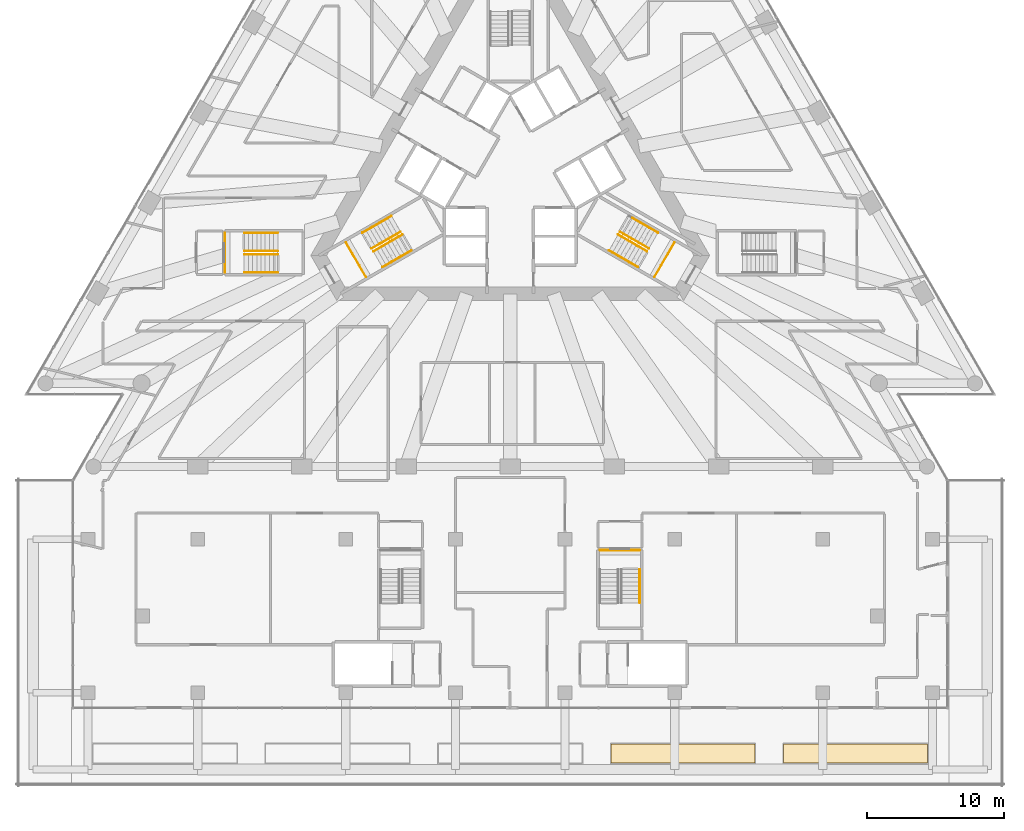
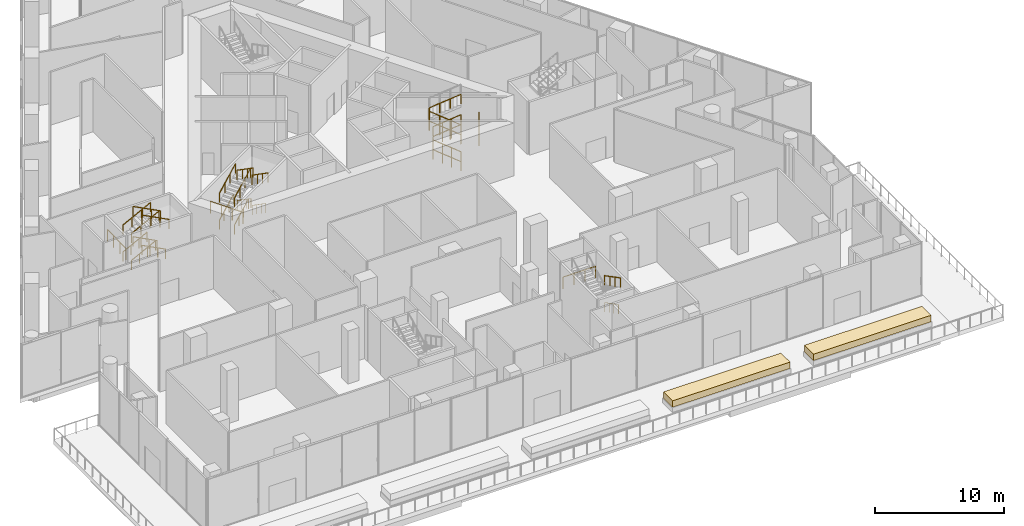
# One storey, part 31 of 32: 29 railings, 2 coverings, 4 elements without a shape of their own.
"""IFC4 building model written with IfcOpenShell, lengths in metres."""

from ifc_helpers import new_model, si_unit, direction, frame, origin, origin_2d, place, context, subcontext, project, spatial, polyline, circle, outline, extrude, material, layer, layer_set, type_object, element, aggregate, save


model = new_model("IFC4")

# Units and contexts
model_context = context("Model", 3, precision=1e-05, world=origin(), true_north=direction((0.0, 1.0)))
body_context = subcontext(model_context, "Body", "Model", "MODEL_VIEW")
ifc_project = project(units=[si_unit("LENGTHUNIT", "METRE"), si_unit("AREAUNIT", "SQUARE_METRE"), si_unit("VOLUMEUNIT", "CUBIC_METRE"), si_unit("PLANEANGLEUNIT", "RADIAN"), si_unit("MASSUNIT", "GRAM", prefix="KILO")], contexts=[model_context])

# Site, building, storey
site_placement = place(None, origin())
site = spatial("IfcSite", under=ifc_project, at=site_placement, CompositionType="ELEMENT")
building_placement = place(site_placement, origin())
building = spatial("IfcBuilding", under=site, at=building_placement, Name="Triada Interchange Tower", CompositionType="ELEMENT")
storey_placement = place(building_placement, frame((0.0, 0.0, 14.5)))
storey = spatial("IfcBuildingStorey", under=building, at=storey_placement, Name="L02", CompositionType="ELEMENT", Elevation=14.5)

# Coverings
ifc_material_1 = material(Name="Planting soil")
ifc_layer = layer(ifc_material_1, 0.60009765625)
ifc_layer_set = layer_set([ifc_layer], Name="Planting bed 600")
covering_type = type_object("IfcCoveringType", Name="Planting bed 600", PredefinedType="FLOORING", material=ifc_layer_set)
covering_1_placement = place(storey_placement, frame((0.0, 0.0, 0.449951171875)))
element("IfcCovering", 1, at=covering_1_placement, inside=storey, type_object=covering_type, Name="Planting bed PLANTER L02 10", PredefinedType="FLOORING", context=body_context, shape_type="SweptSolid", body=[
    extrude(outline(polyline([(7.35009765625, -43.22998046875), (17.85009765625, -43.22998046875), (17.85009765625, -41.830078125), (7.35009765625, -41.830078125), (7.35009765625, -43.22998046875)])), origin(), (0.0, 0.0, 1.0), 0.60009765625),
])
covering_2_placement = place(storey_placement, frame((0.0, 0.0, 0.449951171875)))
element("IfcCovering", 2, at=covering_2_placement, inside=storey, type_object=covering_type, Name="Planting bed PLANTER L02 11", PredefinedType="FLOORING", context=body_context, shape_type="SweptSolid", body=[
    extrude(outline(polyline([(19.949951171875, -43.22998046875), (30.449951171875, -43.22998046875), (30.449951171875, -41.830078125), (19.949951171875, -41.830078125), (19.949951171875, -43.22998046875)])), origin(), (0.0, 0.0, 1.0), 0.60009765625),
])

# Stair, railing
ifc_material_2 = material(Name="Concrete C35/45", Category="concrete")
stair_type = type_object("IfcStairType", Name="HALF TURN STAIR 1400", PredefinedType="HALF_TURN_STAIR", material=ifc_material_2)
stair_1_placement = place(storey_placement, origin())
stair_1 = element("IfcStair", 3, at=stair_1_placement, inside=storey, type_object=stair_type, Name="Exit stair S02-2", PredefinedType="HALF_TURN_STAIR")
ifc_material_3 = material(Name="Stainless steel 1.4301", Category="steel")
railing_type_1 = type_object("IfcRailingType", Name="STAIR GUARD 1100", PredefinedType="GUARDRAIL", material=ifc_material_3)
railing_1_placement = place(storey_placement, frame((-11.98291015625, -5.243896484375, 2.541015625)))
railing_1 = element("IfcRailing", 4, at=railing_1_placement, type_object=railing_type_1, Name="Guard S02-2 1", PredefinedType="GUARDRAIL", context=body_context, shape_type="SweptSolid", body=[
    extrude(circle(Radius=0.02392578125, at=origin_2d()), frame((0.0, 0.0, 1.076171875), z_axis=(0.499877891294, -0.866095891802, 0.0), x_axis=(0.866095891802, 0.499877891294, 0.0)), (0.0, 0.0, 1.0), 2.900634765625),
    extrude(circle(Radius=0.02099609375, at=origin_2d()), origin(), (0.0, 0.0, 1.0), 1.052001953125),
    extrude(circle(Radius=0.02099609375, at=origin_2d()), frame((0.4833984375, -0.83740234375, 0.0)), (0.0, 0.0, 1.0), 1.052001953125),
    extrude(circle(Radius=0.02099609375, at=origin_2d()), frame((0.966552734375, -1.6748046875, 0.0)), (0.0, 0.0, 1.0), 1.052001953125),
    extrude(circle(Radius=0.02099609375, at=origin_2d()), frame((1.449951171875, -2.51220703125, 0.0)), (0.0, 0.0, 1.0), 1.052001953125),
])

stair_2_placement = place(storey_placement, origin())
stair_2 = element("IfcStair", 5, at=stair_2_placement, inside=storey, type_object=stair_type, Name="Exit stair S02-3", PredefinedType="HALF_TURN_STAIR")
railing_2_placement = place(storey_placement, frame((10.532958984375, -7.756103515625, 2.541015625)))
railing_2 = element("IfcRailing", 6, at=railing_2_placement, type_object=railing_type_1, Name="Guard S02-3 1", PredefinedType="GUARDRAIL", context=body_context, shape_type="SweptSolid", body=[
    extrude(circle(Radius=0.02392578125, at=origin_2d()), frame((0.0, 0.0, 1.076171875), z_axis=(0.499877891294, 0.866095891802, 0.0), x_axis=(-0.866095891802, 0.499877891294, 0.0)), (0.0, 0.0, 1.0), 2.900634765625),
    extrude(circle(Radius=0.02099609375, at=origin_2d()), origin(), (0.0, 0.0, 1.0), 1.052001953125),
    extrude(circle(Radius=0.02099609375, at=origin_2d()), frame((0.4833984375, 0.83740234375, 0.0)), (0.0, 0.0, 1.0), 1.052001953125),
    extrude(circle(Radius=0.02099609375, at=origin_2d()), frame((0.966552734375, 1.6748046875, 0.0)), (0.0, 0.0, 1.0), 1.052001953125),
    extrude(circle(Radius=0.02099609375, at=origin_2d()), frame((1.449951171875, 2.51220703125, 0.0)), (0.0, 0.0, 1.0), 1.052001953125),
])

stair_3_placement = place(storey_placement, origin())
stair_3 = element("IfcStair", 7, at=stair_3_placement, inside=storey, type_object=stair_type, Name="Exit stair S02-6", PredefinedType="HALF_TURN_STAIR")
railing_3_placement = place(storey_placement, frame((-20.800048828125, -4.550048828125, 2.541015625)))
railing_3 = element("IfcRailing", 8, at=railing_3_placement, type_object=railing_type_1, Name="Guard S02-6 1", PredefinedType="GUARDRAIL", context=body_context, shape_type="SweptSolid", body=[
    extrude(circle(Radius=0.02392578125, at=origin_2d()), frame((0.0, 0.0, 1.076171875), z_axis=(0.0, -1.0, 0.0), x_axis=(1.0, 0.0, 0.0)), (0.0, 0.0, 1.0), 2.89990234375),
    extrude(circle(Radius=0.02099609375, at=origin_2d()), origin(), (0.0, 0.0, 1.0), 1.052001953125),
    extrude(circle(Radius=0.02099609375, at=origin_2d()), frame((0.0, -0.966552734375, 0.0)), (0.0, 0.0, 1.0), 1.052001953125),
    extrude(circle(Radius=0.02099609375, at=origin_2d()), frame((0.0, -1.933349609375, 0.0)), (0.0, 0.0, 1.0), 1.052001953125),
    extrude(circle(Radius=0.02099609375, at=origin_2d()), frame((0.0, -2.89990234375, 0.0)), (0.0, 0.0, 1.0), 1.052001953125),
])

stair_4_placement = place(storey_placement, origin())
stair_4 = element("IfcStair", 9, at=stair_4_placement, inside=storey, type_object=stair_type, Name="Exit stair S02-10", PredefinedType="HALF_TURN_STAIR")
railing_4_placement = place(storey_placement, frame((9.449951171875, -27.699951171875, 2.541015625)))
railing_4 = element("IfcRailing", 10, at=railing_4_placement, type_object=railing_type_1, Name="Guard S02-10 1", PredefinedType="GUARDRAIL", context=body_context, shape_type="SweptSolid", body=[
    extrude(circle(Radius=0.02392578125, at=origin_2d()), frame((0.0, 0.0, 1.076171875), z_axis=(-1.0, 0.0, 0.0), x_axis=(0.0, -1.0, 0.0)), (0.0, 0.0, 1.0), 2.89990234375),
    extrude(circle(Radius=0.02099609375, at=origin_2d()), origin(), (0.0, 0.0, 1.0), 1.052001953125),
    extrude(circle(Radius=0.02099609375, at=origin_2d()), frame((-0.966552734375, 0.0, 0.0)), (0.0, 0.0, 1.0), 1.052001953125),
    extrude(circle(Radius=0.02099609375, at=origin_2d()), frame((-1.933349609375, 0.0, 0.0)), (0.0, 0.0, 1.0), 1.052001953125),
    extrude(circle(Radius=0.02099609375, at=origin_2d()), frame((-2.89990234375, 0.0, 0.0)), (0.0, 0.0, 1.0), 1.052001953125),
])

# Railing
railing_type_2 = type_object("IfcRailingType", Name="STAIR HANDRAIL 900", PredefinedType="HANDRAIL", material=ifc_material_3)
railing_5_placement = place(storey_placement, frame((-10.77099609375, -4.5439453125, 0.15869140625)))
railing_5 = element("IfcRailing", 11, at=railing_5_placement, type_object=railing_type_2, Name="Handrail S02-2 1W", PredefinedType="HANDRAIL", context=body_context, shape_type="SweptSolid", body=[
    extrude(circle(Radius=0.02392578125, at=origin_2d()), frame((0.0, 0.0, 0.8759765625), z_axis=(0.768184922783, 0.443281145195, 0.461945614466), x_axis=(-0.499804961432, 0.866137980075, 0.0)), (0.0, 0.0, 1.0), 2.40673828125),
    extrude(circle(Radius=0.02099609375, at=origin_2d()), origin(), (0.0, 0.0, 1.0), 0.851806640625),
    extrude(circle(Radius=0.02099609375, at=origin_2d()), frame((0.6162109375, 0.355712890625, 0.37060546875)), (0.0, 0.0, 1.0), 0.851806640625),
    extrude(circle(Radius=0.02099609375, at=origin_2d()), frame((1.232666015625, 0.711181640625, 0.7412109375)), (0.0, 0.0, 1.0), 0.851806640625),
    extrude(circle(Radius=0.02099609375, at=origin_2d()), frame((1.848876953125, 1.06689453125, 1.11181640625)), (0.0, 0.0, 1.0), 0.851806640625),
])

railing_6_placement = place(storey_placement, frame((-10.10595703125, -5.696044921875, 0.15869140625)))
railing_6 = element("IfcRailing", 12, at=railing_6_placement, type_object=railing_type_2, Name="Handrail S02-2 1C", PredefinedType="HANDRAIL", context=body_context, shape_type="SweptSolid", body=[
    extrude(circle(Radius=0.02392578125, at=origin_2d()), frame((0.0, 0.0, 0.8759765625), z_axis=(0.768012174105, 0.443688533172, 0.461841732586), x_axis=(-0.500233783454, 0.865890386765, 0.0)), (0.0, 0.0, 1.0), 2.407470703125),
    extrude(circle(Radius=0.02099609375, at=origin_2d()), origin(), (0.0, 0.0, 1.0), 0.851806640625),
    extrude(circle(Radius=0.02099609375, at=origin_2d()), frame((0.6162109375, 0.35595703125, 0.37060546875)), (0.0, 0.0, 1.0), 0.851806640625),
    extrude(circle(Radius=0.02099609375, at=origin_2d()), frame((1.232666015625, 0.712158203125, 0.7412109375)), (0.0, 0.0, 1.0), 0.851806640625),
    extrude(circle(Radius=0.02099609375, at=origin_2d()), frame((1.848876953125, 1.068115234375, 1.11181640625)), (0.0, 0.0, 1.0), 0.851806640625),
])

railing_7_placement = place(storey_placement, frame((-7.471923828125, -5.988037109375, 1.429443359375)))
railing_7 = element("IfcRailing", 13, at=railing_7_placement, type_object=railing_type_2, Name="Handrail S02-2 2W", PredefinedType="HANDRAIL", context=body_context, shape_type="SweptSolid", body=[
    extrude(circle(Radius=0.02392578125, at=origin_2d()), frame((0.0, 0.0, 0.8759765625), z_axis=(-0.768226496267, -0.443246605319, 0.46190962028), x_axis=(0.499755453942, -0.866166546488, 0.0)), (0.0, 0.0, 1.0), 2.406982421875),
    extrude(circle(Radius=0.02099609375, at=origin_2d()), origin(), (0.0, 0.0, 1.0), 0.851806640625),
    extrude(circle(Radius=0.02099609375, at=origin_2d()), frame((-0.616455078125, -0.355712890625, 0.37060546875)), (0.0, 0.0, 1.0), 0.851806640625),
    extrude(circle(Radius=0.02099609375, at=origin_2d()), frame((-1.232666015625, -0.711181640625, 0.7412109375)), (0.0, 0.0, 1.0), 0.851806640625),
    extrude(circle(Radius=0.02099609375, at=origin_2d()), frame((-1.84912109375, -1.06689453125, 1.11181640625)), (0.0, 0.0, 1.0), 0.851806640625),
])

railing_8_placement = place(storey_placement, frame((-8.136962890625, -4.8359375, 1.429443359375)))
railing_8 = element("IfcRailing", 14, at=railing_8_placement, type_object=railing_type_2, Name="Handrail S02-2 2C", PredefinedType="HANDRAIL", context=body_context, shape_type="SweptSolid", body=[
    extrude(circle(Radius=0.02392578125, at=origin_2d()), frame((0.0, 0.0, 0.8759765625), z_axis=(-0.768053765152, -0.443653977098, 0.461805762675), x_axis=(0.500184261807, -0.865918994041, 0.0)), (0.0, 0.0, 1.0), 2.407470703125),
    extrude(circle(Radius=0.02099609375, at=origin_2d()), origin(), (0.0, 0.0, 1.0), 0.851806640625),
    extrude(circle(Radius=0.02099609375, at=origin_2d()), frame((-0.616455078125, -0.35595703125, 0.37060546875)), (0.0, 0.0, 1.0), 0.851806640625),
    extrude(circle(Radius=0.02099609375, at=origin_2d()), frame((-1.232666015625, -0.712158203125, 0.7412109375)), (0.0, 0.0, 1.0), 0.851806640625),
    extrude(circle(Radius=0.02099609375, at=origin_2d()), frame((-1.84912109375, -1.068115234375, 1.11181640625)), (0.0, 0.0, 1.0), 0.851806640625),
])

railing_9_placement = place(storey_placement, frame((-10.77099609375, -4.5439453125, 2.699951171875)))
railing_9 = element("IfcRailing", 15, at=railing_9_placement, type_object=railing_type_2, Name="Handrail S02-2 3W", PredefinedType="HANDRAIL", context=body_context, shape_type="SweptSolid", body=[
    extrude(circle(Radius=0.02392578125, at=origin_2d()), frame((0.0, 0.0, 0.8759765625), z_axis=(0.768126067177, 0.443480757676, 0.461851883719), x_axis=(-0.500002508028, 0.866023955769, 0.0)), (0.0, 0.0, 1.0), 2.7509765625),
    extrude(circle(Radius=0.02099609375, at=origin_2d()), origin(), (0.0, 0.0, 1.0), 0.851806640625),
    extrude(circle(Radius=0.02099609375, at=origin_2d()), frame((0.704345703125, 0.40673828125, 0.423583984375)), (0.0, 0.0, 1.0), 0.851806640625),
    extrude(circle(Radius=0.02099609375, at=origin_2d()), frame((1.40869140625, 0.813232421875, 0.846923828125)), (0.0, 0.0, 1.0), 0.851806640625),
    extrude(circle(Radius=0.02099609375, at=origin_2d()), frame((2.113037109375, 1.219970703125, 1.2705078125)), (0.0, 0.0, 1.0), 0.851806640625),
])

railing_10_placement = place(storey_placement, frame((-10.10595703125, -5.696044921875, 2.699951171875)))
railing_10 = element("IfcRailing", 16, at=railing_10_placement, type_object=railing_type_2, Name="Handrail S02-2 3C", PredefinedType="HANDRAIL", context=body_context, shape_type="SweptSolid", body=[
    extrude(circle(Radius=0.02392578125, at=origin_2d()), frame((0.0, 0.0, 0.8759765625), z_axis=(0.768126067177, 0.443480757676, 0.461851883719), x_axis=(-0.500002508028, 0.866023955769, 0.0)), (0.0, 0.0, 1.0), 2.7509765625),
    extrude(circle(Radius=0.02099609375, at=origin_2d()), origin(), (0.0, 0.0, 1.0), 0.851806640625),
    extrude(circle(Radius=0.02099609375, at=origin_2d()), frame((0.704345703125, 0.40673828125, 0.423583984375)), (0.0, 0.0, 1.0), 0.851806640625),
    extrude(circle(Radius=0.02099609375, at=origin_2d()), frame((1.40869140625, 0.813232421875, 0.846923828125)), (0.0, 0.0, 1.0), 0.851806640625),
    extrude(circle(Radius=0.02099609375, at=origin_2d()), frame((2.113037109375, 1.219970703125, 1.2705078125)), (0.0, 0.0, 1.0), 0.851806640625),
])

railing_11_placement = place(storey_placement, frame((-7.2080078125, -5.8359375, 4.12939453125)))
railing_11 = element("IfcRailing", 17, at=railing_11_placement, type_object=railing_type_2, Name="Handrail S02-2 4W", PredefinedType="HANDRAIL", context=body_context, shape_type="SweptSolid", body=[
    extrude(circle(Radius=0.02392578125, at=origin_2d()), frame((0.0, 0.0, 0.8759765625), z_axis=(-0.768126067177, -0.443480757676, 0.461851883719), x_axis=(0.500002508028, -0.866023955769, 0.0)), (0.0, 0.0, 1.0), 2.7509765625),
    extrude(circle(Radius=0.02099609375, at=origin_2d()), origin(), (0.0, 0.0, 1.0), 0.851806640625),
    extrude(circle(Radius=0.02099609375, at=origin_2d()), frame((-0.704345703125, -0.40673828125, 0.423583984375)), (0.0, 0.0, 1.0), 0.851806640625),
    extrude(circle(Radius=0.02099609375, at=origin_2d()), frame((-1.40869140625, -0.813232421875, 0.846923828125)), (0.0, 0.0, 1.0), 0.851806640625),
    extrude(circle(Radius=0.02099609375, at=origin_2d()), frame((-2.113037109375, -1.219970703125, 1.2705078125)), (0.0, 0.0, 1.0), 0.851806640625),
])

railing_12_placement = place(storey_placement, frame((-7.873046875, -4.68408203125, 4.12939453125)))
railing_12 = element("IfcRailing", 18, at=railing_12_placement, type_object=railing_type_2, Name="Handrail S02-2 4C", PredefinedType="HANDRAIL", context=body_context, shape_type="SweptSolid", body=[
    extrude(circle(Radius=0.02392578125, at=origin_2d()), frame((0.0, 0.0, 0.8759765625), z_axis=(-0.768126067177, -0.443480757676, 0.461851883719), x_axis=(0.500002508028, -0.866023955769, 0.0)), (0.0, 0.0, 1.0), 2.7509765625),
    extrude(circle(Radius=0.02099609375, at=origin_2d()), origin(), (0.0, 0.0, 1.0), 0.851806640625),
    extrude(circle(Radius=0.02099609375, at=origin_2d()), frame((-0.704345703125, -0.40673828125, 0.423583984375)), (0.0, 0.0, 1.0), 0.851806640625),
    extrude(circle(Radius=0.02099609375, at=origin_2d()), frame((-1.40869140625, -0.813232421875, 0.846923828125)), (0.0, 0.0, 1.0), 0.851806640625),
    extrude(circle(Radius=0.02099609375, at=origin_2d()), frame((-2.113037109375, -1.219970703125, 1.2705078125)), (0.0, 0.0, 1.0), 0.851806640625),
])

aggregate(stair_1, [railing_5, railing_6, railing_7, railing_8, railing_9, railing_10, railing_11, railing_12, railing_1])

railing_13_placement = place(storey_placement, frame((9.321044921875, -7.055908203125, 0.15869140625)))
railing_13 = element("IfcRailing", 19, at=railing_13_placement, type_object=railing_type_2, Name="Handrail S02-3 1W", PredefinedType="HANDRAIL", context=body_context, shape_type="SweptSolid", body=[
    extrude(circle(Radius=0.02392578125, at=origin_2d()), frame((0.0, 0.0, 0.8759765625), z_axis=(-0.768088317853, 0.443572524728, 0.461826538091), x_axis=(-0.50009852965, -0.86596851019, 0.0)), (0.0, 0.0, 1.0), 2.407470703125),
    extrude(circle(Radius=0.02099609375, at=origin_2d()), origin(), (0.0, 0.0, 1.0), 0.851806640625),
    extrude(circle(Radius=0.02099609375, at=origin_2d()), frame((-0.616455078125, 0.35595703125, 0.37060546875)), (0.0, 0.0, 1.0), 0.851806640625),
    extrude(circle(Radius=0.02099609375, at=origin_2d()), frame((-1.232666015625, 0.7119140625, 0.7412109375)), (0.0, 0.0, 1.0), 0.851806640625),
    extrude(circle(Radius=0.02099609375, at=origin_2d()), frame((-1.84912109375, 1.06787109375, 1.11181640625)), (0.0, 0.0, 1.0), 0.851806640625),
])

railing_14_placement = place(storey_placement, frame((9.986083984375, -5.904052734375, 0.15869140625)))
railing_14 = element("IfcRailing", 20, at=railing_14_placement, type_object=railing_type_2, Name="Handrail S02-3 1C", PredefinedType="HANDRAIL", context=body_context, shape_type="SweptSolid", body=[
    extrude(circle(Radius=0.02392578125, at=origin_2d()), frame((0.0, 0.0, 0.8759765625), z_axis=(-0.768191956526, 0.44332810166, 0.461888852656), x_axis=(-0.499841244933, -0.866117041666, 0.0)), (0.0, 0.0, 1.0), 2.4072265625),
    extrude(circle(Radius=0.02099609375, at=origin_2d()), origin(), (0.0, 0.0, 1.0), 0.851806640625),
    extrude(circle(Radius=0.02099609375, at=origin_2d()), frame((-0.616455078125, 0.355712890625, 0.37060546875)), (0.0, 0.0, 1.0), 0.851806640625),
    extrude(circle(Radius=0.02099609375, at=origin_2d()), frame((-1.232666015625, 0.71142578125, 0.7412109375)), (0.0, 0.0, 1.0), 0.851806640625),
    extrude(circle(Radius=0.02099609375, at=origin_2d()), frame((-1.84912109375, 1.067138671875, 1.11181640625)), (0.0, 0.0, 1.0), 0.851806640625),
])

railing_15_placement = place(storey_placement, frame((8.922119140625, -3.47705078125, 1.429443359375)))
railing_15 = element("IfcRailing", 21, at=railing_15_placement, type_object=railing_type_2, Name="Handrail S02-3 2W", PredefinedType="HANDRAIL", context=body_context, shape_type="SweptSolid", body=[
    extrude(circle(Radius=0.02392578125, at=origin_2d()), frame((0.0, 0.0, 0.8759765625), z_axis=(0.768046730317, -0.443607077566, 0.461862512857), x_axis=(0.500148048473, 0.865939911084, 0.0)), (0.0, 0.0, 1.0), 2.4072265625),
    extrude(circle(Radius=0.02099609375, at=origin_2d()), origin(), (0.0, 0.0, 1.0), 0.851806640625),
    extrude(circle(Radius=0.02099609375, at=origin_2d()), frame((0.6162109375, -0.35595703125, 0.37060546875)), (0.0, 0.0, 1.0), 0.851806640625),
    extrude(circle(Radius=0.02099609375, at=origin_2d()), frame((1.232666015625, -0.7119140625, 0.7412109375)), (0.0, 0.0, 1.0), 0.851806640625),
    extrude(circle(Radius=0.02099609375, at=origin_2d()), frame((1.848876953125, -1.06787109375, 1.11181640625)), (0.0, 0.0, 1.0), 0.851806640625),
])

railing_16_placement = place(storey_placement, frame((8.257080078125, -4.62890625, 1.429443359375)))
railing_16 = element("IfcRailing", 22, at=railing_16_placement, type_object=railing_type_2, Name="Handrail S02-3 2C", PredefinedType="HANDRAIL", context=body_context, shape_type="SweptSolid", body=[
    extrude(circle(Radius=0.02392578125, at=origin_2d()), frame((0.0, 0.0, 0.8759765625), z_axis=(0.768150379528, -0.44336264478, 0.461924841987), x_axis=(0.499890755261, 0.866088467077, 0.0)), (0.0, 0.0, 1.0), 2.406982421875),
    extrude(circle(Radius=0.02099609375, at=origin_2d()), origin(), (0.0, 0.0, 1.0), 0.851806640625),
    extrude(circle(Radius=0.02099609375, at=origin_2d()), frame((0.6162109375, -0.355712890625, 0.37060546875)), (0.0, 0.0, 1.0), 0.851806640625),
    extrude(circle(Radius=0.02099609375, at=origin_2d()), frame((1.232666015625, -0.71142578125, 0.7412109375)), (0.0, 0.0, 1.0), 0.851806640625),
    extrude(circle(Radius=0.02099609375, at=origin_2d()), frame((1.848876953125, -1.067138671875, 1.11181640625)), (0.0, 0.0, 1.0), 0.851806640625),
])

railing_17_placement = place(storey_placement, frame((9.321044921875, -7.055908203125, 2.699951171875)))
railing_17 = element("IfcRailing", 23, at=railing_17_placement, type_object=railing_type_2, Name="Handrail S02-3 3W", PredefinedType="HANDRAIL", context=body_context, shape_type="SweptSolid", body=[
    extrude(circle(Radius=0.02392578125, at=origin_2d()), frame((0.0, 0.0, 0.8759765625), z_axis=(-0.768126067177, 0.443480757676, 0.461851883719), x_axis=(-0.500002508028, -0.866023955769, 0.0)), (0.0, 0.0, 1.0), 2.7509765625),
    extrude(circle(Radius=0.02099609375, at=origin_2d()), origin(), (0.0, 0.0, 1.0), 0.851806640625),
    extrude(circle(Radius=0.02099609375, at=origin_2d()), frame((-0.704345703125, 0.40673828125, 0.423583984375)), (0.0, 0.0, 1.0), 0.851806640625),
    extrude(circle(Radius=0.02099609375, at=origin_2d()), frame((-1.40869140625, 0.813232421875, 0.846923828125)), (0.0, 0.0, 1.0), 0.851806640625),
    extrude(circle(Radius=0.02099609375, at=origin_2d()), frame((-2.113037109375, 1.219970703125, 1.2705078125)), (0.0, 0.0, 1.0), 0.851806640625),
])

railing_18_placement = place(storey_placement, frame((9.986083984375, -5.904052734375, 2.699951171875)))
railing_18 = element("IfcRailing", 24, at=railing_18_placement, type_object=railing_type_2, Name="Handrail S02-3 3C", PredefinedType="HANDRAIL", context=body_context, shape_type="SweptSolid", body=[
    extrude(circle(Radius=0.02392578125, at=origin_2d()), frame((0.0, 0.0, 0.8759765625), z_axis=(-0.768126067177, 0.443480757676, 0.461851883719), x_axis=(-0.500002508028, -0.866023955769, 0.0)), (0.0, 0.0, 1.0), 2.7509765625),
    extrude(circle(Radius=0.02099609375, at=origin_2d()), origin(), (0.0, 0.0, 1.0), 0.851806640625),
    extrude(circle(Radius=0.02099609375, at=origin_2d()), frame((-0.704345703125, 0.40673828125, 0.423583984375)), (0.0, 0.0, 1.0), 0.851806640625),
    extrude(circle(Radius=0.02099609375, at=origin_2d()), frame((-1.40869140625, 0.813232421875, 0.846923828125)), (0.0, 0.0, 1.0), 0.851806640625),
    extrude(circle(Radius=0.02099609375, at=origin_2d()), frame((-2.113037109375, 1.219970703125, 1.2705078125)), (0.0, 0.0, 1.0), 0.851806640625),
])

railing_19_placement = place(storey_placement, frame((7.992919921875, -4.47607421875, 4.12939453125)))
railing_19 = element("IfcRailing", 25, at=railing_19_placement, type_object=railing_type_2, Name="Handrail S02-3 4C", PredefinedType="HANDRAIL", context=body_context, shape_type="SweptSolid", body=[
    extrude(circle(Radius=0.02392578125, at=origin_2d()), frame((0.0, 0.0, 0.8759765625), z_axis=(0.768126067177, -0.443480757676, 0.461851883719), x_axis=(0.500002508028, 0.866023955769, 0.0)), (0.0, 0.0, 1.0), 2.7509765625),
    extrude(circle(Radius=0.02099609375, at=origin_2d()), origin(), (0.0, 0.0, 1.0), 0.851806640625),
    extrude(circle(Radius=0.02099609375, at=origin_2d()), frame((0.704345703125, -0.40673828125, 0.423583984375)), (0.0, 0.0, 1.0), 0.851806640625),
    extrude(circle(Radius=0.02099609375, at=origin_2d()), frame((1.40869140625, -0.813232421875, 0.846923828125)), (0.0, 0.0, 1.0), 0.851806640625),
    extrude(circle(Radius=0.02099609375, at=origin_2d()), frame((2.113037109375, -1.219970703125, 1.2705078125)), (0.0, 0.0, 1.0), 0.851806640625),
])

aggregate(stair_2, [railing_13, railing_14, railing_15, railing_16, railing_17, railing_18, railing_19, railing_2])

railing_20_placement = place(storey_placement, frame((-19.39990234375, -4.550048828125, 0.15869140625)))
railing_20 = element("IfcRailing", 26, at=railing_20_placement, type_object=railing_type_2, Name="Handrail S02-6 1W", PredefinedType="HANDRAIL", context=body_context, shape_type="SweptSolid", body=[
    extrude(circle(Radius=0.02392578125, at=origin_2d()), frame((0.0, 0.0, 0.8759765625), z_axis=(0.886942649844, 0.0, 0.461879568598), x_axis=(0.0, 1.0, 0.0)), (0.0, 0.0, 1.0), 2.4072265625),
    extrude(circle(Radius=0.02099609375, at=origin_2d()), origin(), (0.0, 0.0, 1.0), 0.851806640625),
    extrude(circle(Radius=0.02099609375, at=origin_2d()), frame((0.711669921875, 0.0, 0.37060546875)), (0.0, 0.0, 1.0), 0.851806640625),
    extrude(circle(Radius=0.02099609375, at=origin_2d()), frame((1.42333984375, 0.0, 0.7412109375)), (0.0, 0.0, 1.0), 0.851806640625),
    extrude(circle(Radius=0.02099609375, at=origin_2d()), frame((2.135009765625, 0.0, 1.11181640625)), (0.0, 0.0, 1.0), 0.851806640625),
])

railing_21_placement = place(storey_placement, frame((-19.39990234375, -5.8798828125, 0.15869140625)))
railing_21 = element("IfcRailing", 27, at=railing_21_placement, type_object=railing_type_2, Name="Handrail S02-6 1C", PredefinedType="HANDRAIL", context=body_context, shape_type="SweptSolid", body=[
    extrude(circle(Radius=0.02392578125, at=origin_2d()), frame((0.0, 0.0, 0.8759765625), z_axis=(0.886942649844, 0.0, 0.461879568598), x_axis=(0.0, 1.0, 0.0)), (0.0, 0.0, 1.0), 2.4072265625),
    extrude(circle(Radius=0.02099609375, at=origin_2d()), origin(), (0.0, 0.0, 1.0), 0.851806640625),
    extrude(circle(Radius=0.02099609375, at=origin_2d()), frame((0.711669921875, 0.0, 0.37060546875)), (0.0, 0.0, 1.0), 0.851806640625),
    extrude(circle(Radius=0.02099609375, at=origin_2d()), frame((1.42333984375, 0.0, 0.7412109375)), (0.0, 0.0, 1.0), 0.851806640625),
    extrude(circle(Radius=0.02099609375, at=origin_2d()), frame((2.135009765625, 0.0, 1.11181640625)), (0.0, 0.0, 1.0), 0.851806640625),
])

railing_22_placement = place(storey_placement, frame((-17.264892578125, -7.449951171875, 1.429443359375)))
railing_22 = element("IfcRailing", 28, at=railing_22_placement, type_object=railing_type_2, Name="Handrail S02-6 2W", PredefinedType="HANDRAIL", context=body_context, shape_type="SweptSolid", body=[
    extrude(circle(Radius=0.02392578125, at=origin_2d()), frame((0.0, 0.0, 0.8759765625), z_axis=(-0.886942649844, 0.0, 0.461879568598), x_axis=(0.0, -1.0, 0.0)), (0.0, 0.0, 1.0), 2.4072265625),
    extrude(circle(Radius=0.02099609375, at=origin_2d()), origin(), (0.0, 0.0, 1.0), 0.851806640625),
    extrude(circle(Radius=0.02099609375, at=origin_2d()), frame((-0.711669921875, 0.0, 0.37060546875)), (0.0, 0.0, 1.0), 0.851806640625),
    extrude(circle(Radius=0.02099609375, at=origin_2d()), frame((-1.42333984375, 0.0, 0.7412109375)), (0.0, 0.0, 1.0), 0.851806640625),
    extrude(circle(Radius=0.02099609375, at=origin_2d()), frame((-2.135009765625, 0.0, 1.11181640625)), (0.0, 0.0, 1.0), 0.851806640625),
])

railing_23_placement = place(storey_placement, frame((-17.264892578125, -6.1201171875, 1.429443359375)))
railing_23 = element("IfcRailing", 29, at=railing_23_placement, type_object=railing_type_2, Name="Handrail S02-6 2C", PredefinedType="HANDRAIL", context=body_context, shape_type="SweptSolid", body=[
    extrude(circle(Radius=0.02392578125, at=origin_2d()), frame((0.0, 0.0, 0.8759765625), z_axis=(-0.886942649844, 0.0, 0.461879568598), x_axis=(0.0, -1.0, 0.0)), (0.0, 0.0, 1.0), 2.4072265625),
    extrude(circle(Radius=0.02099609375, at=origin_2d()), origin(), (0.0, 0.0, 1.0), 0.851806640625),
    extrude(circle(Radius=0.02099609375, at=origin_2d()), frame((-0.711669921875, 0.0, 0.37060546875)), (0.0, 0.0, 1.0), 0.851806640625),
    extrude(circle(Radius=0.02099609375, at=origin_2d()), frame((-1.42333984375, 0.0, 0.7412109375)), (0.0, 0.0, 1.0), 0.851806640625),
    extrude(circle(Radius=0.02099609375, at=origin_2d()), frame((-2.135009765625, 0.0, 1.11181640625)), (0.0, 0.0, 1.0), 0.851806640625),
])

railing_24_placement = place(storey_placement, frame((-19.39990234375, -4.550048828125, 2.699951171875)))
railing_24 = element("IfcRailing", 30, at=railing_24_placement, type_object=railing_type_2, Name="Handrail S02-6 3W", PredefinedType="HANDRAIL", context=body_context, shape_type="SweptSolid", body=[
    extrude(circle(Radius=0.02392578125, at=origin_2d()), frame((0.0, 0.0, 0.8759765625), z_axis=(0.886958015329, 0.0, 0.461850061214), x_axis=(0.0, 1.0, 0.0)), (0.0, 0.0, 1.0), 2.7509765625),
    extrude(circle(Radius=0.02099609375, at=origin_2d()), origin(), (0.0, 0.0, 1.0), 0.851806640625),
    extrude(circle(Radius=0.02099609375, at=origin_2d()), frame((0.813232421875, 0.0, 0.423583984375)), (0.0, 0.0, 1.0), 0.851806640625),
    extrude(circle(Radius=0.02099609375, at=origin_2d()), frame((1.626708984375, 0.0, 0.846923828125)), (0.0, 0.0, 1.0), 0.851806640625),
    extrude(circle(Radius=0.02099609375, at=origin_2d()), frame((2.43994140625, 0.0, 1.2705078125)), (0.0, 0.0, 1.0), 0.851806640625),
])

railing_25_placement = place(storey_placement, frame((-19.39990234375, -5.8798828125, 2.699951171875)))
railing_25 = element("IfcRailing", 31, at=railing_25_placement, type_object=railing_type_2, Name="Handrail S02-6 3C", PredefinedType="HANDRAIL", context=body_context, shape_type="SweptSolid", body=[
    extrude(circle(Radius=0.02392578125, at=origin_2d()), frame((0.0, 0.0, 0.8759765625), z_axis=(0.886958015329, 0.0, 0.461850061214), x_axis=(0.0, 1.0, 0.0)), (0.0, 0.0, 1.0), 2.7509765625),
    extrude(circle(Radius=0.02099609375, at=origin_2d()), origin(), (0.0, 0.0, 1.0), 0.851806640625),
    extrude(circle(Radius=0.02099609375, at=origin_2d()), frame((0.813232421875, 0.0, 0.423583984375)), (0.0, 0.0, 1.0), 0.851806640625),
    extrude(circle(Radius=0.02099609375, at=origin_2d()), frame((1.626708984375, 0.0, 0.846923828125)), (0.0, 0.0, 1.0), 0.851806640625),
    extrude(circle(Radius=0.02099609375, at=origin_2d()), frame((2.43994140625, 0.0, 1.2705078125)), (0.0, 0.0, 1.0), 0.851806640625),
])

railing_26_placement = place(storey_placement, frame((-16.9599609375, -7.449951171875, 4.12939453125)))
railing_26 = element("IfcRailing", 32, at=railing_26_placement, type_object=railing_type_2, Name="Handrail S02-6 4W", PredefinedType="HANDRAIL", context=body_context, shape_type="SweptSolid", body=[
    extrude(circle(Radius=0.02392578125, at=origin_2d()), frame((0.0, 0.0, 0.8759765625), z_axis=(-0.886958015329, 0.0, 0.461850061214), x_axis=(0.0, -1.0, 0.0)), (0.0, 0.0, 1.0), 2.7509765625),
    extrude(circle(Radius=0.02099609375, at=origin_2d()), origin(), (0.0, 0.0, 1.0), 0.851806640625),
    extrude(circle(Radius=0.02099609375, at=origin_2d()), frame((-0.813232421875, 0.0, 0.423583984375)), (0.0, 0.0, 1.0), 0.851806640625),
    extrude(circle(Radius=0.02099609375, at=origin_2d()), frame((-1.626708984375, 0.0, 0.846923828125)), (0.0, 0.0, 1.0), 0.851806640625),
    extrude(circle(Radius=0.02099609375, at=origin_2d()), frame((-2.43994140625, 0.0, 1.2705078125)), (0.0, 0.0, 1.0), 0.851806640625),
])

railing_27_placement = place(storey_placement, frame((-16.9599609375, -6.1201171875, 4.12939453125)))
railing_27 = element("IfcRailing", 33, at=railing_27_placement, type_object=railing_type_2, Name="Handrail S02-6 4C", PredefinedType="HANDRAIL", context=body_context, shape_type="SweptSolid", body=[
    extrude(circle(Radius=0.02392578125, at=origin_2d()), frame((0.0, 0.0, 0.8759765625), z_axis=(-0.886958015329, 0.0, 0.461850061214), x_axis=(0.0, -1.0, 0.0)), (0.0, 0.0, 1.0), 2.7509765625),
    extrude(circle(Radius=0.02099609375, at=origin_2d()), origin(), (0.0, 0.0, 1.0), 0.851806640625),
    extrude(circle(Radius=0.02099609375, at=origin_2d()), frame((-0.813232421875, 0.0, 0.423583984375)), (0.0, 0.0, 1.0), 0.851806640625),
    extrude(circle(Radius=0.02099609375, at=origin_2d()), frame((-1.626708984375, 0.0, 0.846923828125)), (0.0, 0.0, 1.0), 0.851806640625),
    extrude(circle(Radius=0.02099609375, at=origin_2d()), frame((-2.43994140625, 0.0, 1.2705078125)), (0.0, 0.0, 1.0), 0.851806640625),
])

aggregate(stair_3, [railing_20, railing_21, railing_22, railing_23, railing_24, railing_25, railing_26, railing_27, railing_3])

railing_28_placement = place(storey_placement, frame((9.449951171875, -29.10009765625, 0.15869140625)))
railing_28 = element("IfcRailing", 34, at=railing_28_placement, type_object=railing_type_2, Name="Handrail S02-10 1W", PredefinedType="HANDRAIL", context=body_context, shape_type="SweptSolid", body=[
    extrude(circle(Radius=0.02392578125, at=origin_2d()), frame((0.0, 0.0, 0.8759765625), z_axis=(0.0, -0.886942649844, 0.461879568598), x_axis=(1.0, 0.0, 0.0)), (0.0, 0.0, 1.0), 2.4072265625),
    extrude(circle(Radius=0.02099609375, at=origin_2d()), origin(), (0.0, 0.0, 1.0), 0.851806640625),
    extrude(circle(Radius=0.02099609375, at=origin_2d()), frame((0.0, -0.711669921875, 0.37060546875)), (0.0, 0.0, 1.0), 0.851806640625),
    extrude(circle(Radius=0.02099609375, at=origin_2d()), frame((0.0, -1.42333984375, 0.7412109375)), (0.0, 0.0, 1.0), 0.851806640625),
    extrude(circle(Radius=0.02099609375, at=origin_2d()), frame((0.0, -2.135009765625, 1.11181640625)), (0.0, 0.0, 1.0), 0.851806640625),
])

railing_29_placement = place(storey_placement, frame((9.449951171875, -29.10009765625, 2.699951171875)))
railing_29 = element("IfcRailing", 35, at=railing_29_placement, type_object=railing_type_2, Name="Handrail S02-10 3W", PredefinedType="HANDRAIL", context=body_context, shape_type="SweptSolid", body=[
    extrude(circle(Radius=0.02392578125, at=origin_2d()), frame((0.0, 0.0, 0.8759765625), z_axis=(0.0, -0.886958015329, 0.461850061214), x_axis=(1.0, 0.0, 0.0)), (0.0, 0.0, 1.0), 2.7509765625),
    extrude(circle(Radius=0.02099609375, at=origin_2d()), origin(), (0.0, 0.0, 1.0), 0.851806640625),
    extrude(circle(Radius=0.02099609375, at=origin_2d()), frame((0.0, -0.813232421875, 0.423583984375)), (0.0, 0.0, 1.0), 0.851806640625),
    extrude(circle(Radius=0.02099609375, at=origin_2d()), frame((0.0, -1.626708984375, 0.846923828125)), (0.0, 0.0, 1.0), 0.851806640625),
    extrude(circle(Radius=0.02099609375, at=origin_2d()), frame((0.0, -2.43994140625, 1.2705078125)), (0.0, 0.0, 1.0), 0.851806640625),
])

aggregate(stair_4, [railing_28, railing_29, railing_4])

save(model, "model.ifc")
